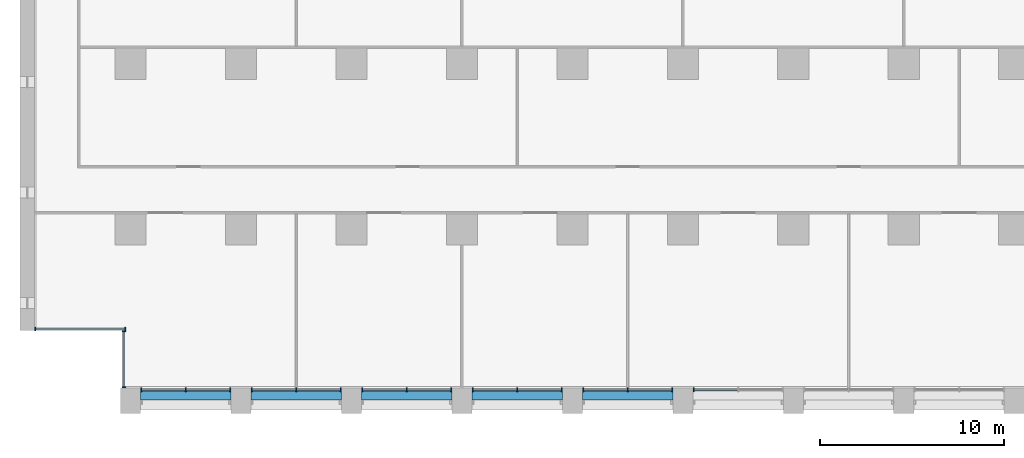
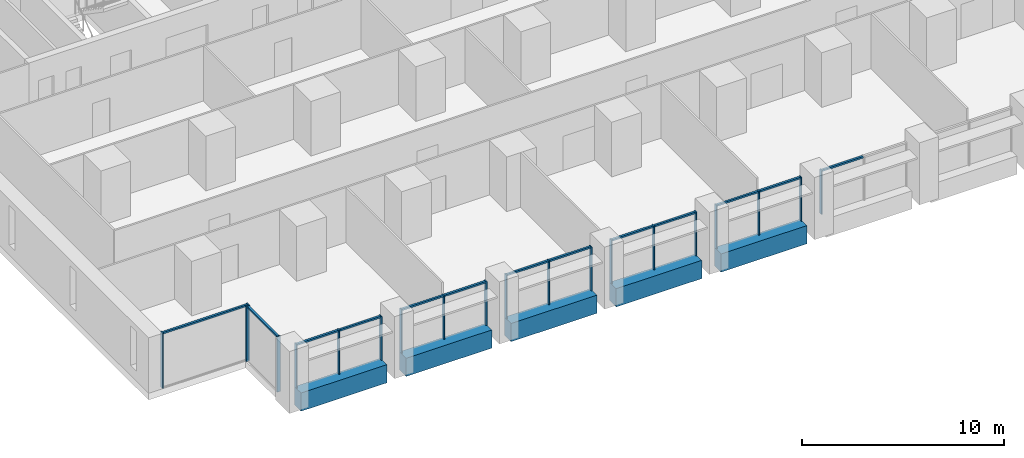
# One storey, part 2 of 18: 33 members, 5 beams, 8 elements without a shape of their own.
"""IFC4 building model written with IfcOpenShell, lengths in metres."""

from ifc_helpers import new_model, si_unit, direction, frame, origin, origin_2d, place, context, subcontext, project, spatial, rectangle, extrude, material, material_profile, profile_set, type_object, element, aggregate, save


model = new_model("IFC4")

# Units and contexts
model_context = context("Model", 3, precision=1e-05, world=origin(), true_north=direction((0.0, 1.0)))
body_context = subcontext(model_context, "Body", "Model", "MODEL_VIEW")
ifc_project = project(units=[si_unit("LENGTHUNIT", "METRE"), si_unit("AREAUNIT", "SQUARE_METRE"), si_unit("VOLUMEUNIT", "CUBIC_METRE"), si_unit("PLANEANGLEUNIT", "RADIAN"), si_unit("MASSUNIT", "GRAM", prefix="KILO")], contexts=[model_context])

# Site, building, storey
site_placement = place(None, origin())
site = spatial("IfcSite", under=ifc_project, at=site_placement, CompositionType="ELEMENT")
building_placement = place(site_placement, origin())
building = spatial("IfcBuilding", under=site, at=building_placement, Name="Calvaro Tower", CompositionType="ELEMENT")
storey_placement = place(building_placement, frame((0.0, 0.0, 45.0)))
storey = spatial("IfcBuildingStorey", under=building, at=storey_placement, Name="L10", CompositionType="ELEMENT", Elevation=45.0)

# Curtain wall, members
ifc_material_1 = material(Name="Anodised aluminium", Category="aluminium")
curtain_wall_type = type_object("IfcCurtainWallType", Name="Office curtain wall, lower zone", PredefinedType="NOTDEFINED", material=ifc_material_1)
curtain_wall_1_placement = place(storey_placement, origin())
curtain_wall_1 = element("IfcCurtainWall", 1, at=curtain_wall_1_placement, inside=storey, type_object=curtain_wall_type, Name="CW1 south curtain wall", PredefinedType="NOTDEFINED")
ifc_material_2 = material(Name="Anodised aluminium", Category="aluminium")
ifc_material_profile_1 = material_profile(ifc_material_2, rectangle(XDim=0.199951171875, YDim=0.06005859375, at=origin_2d()), Name="Mullion S1 60 x 200")
ifc_profile_set_1 = profile_set([ifc_material_profile_1], Name="Anodised aluminium")
member_type_1 = type_object("IfcMemberType", Name="Mullion S1 60 x 200", PredefinedType="MULLION", material=ifc_profile_set_1)
member_1_placement = place(storey_placement, frame((6.580078125, 1.300048828125, 0.0), z_axis=(0.0, 0.0, 1.0), x_axis=(0.0, 1.0, 0.0)))
member_1 = element("IfcMember", 2, at=member_1_placement, type_object=member_type_1, Name="CW1 mullion 1", PredefinedType="MULLION", context=body_context, shape_type="SweptSolid", body=[
    extrude(rectangle(XDim=0.199951171875, YDim=0.06005859375, at=origin_2d()), origin(), (0.0, 0.0, 1.0), 2.64990234375),
])
member_2_placement = place(storey_placement, frame((9.0, 1.300048828125, 0.0), z_axis=(0.0, 0.0, 1.0), x_axis=(0.0, 1.0, 0.0)))
member_2 = element("IfcMember", 3, at=member_2_placement, type_object=member_type_1, Name="CW1 mullion 2", PredefinedType="MULLION", context=body_context, shape_type="SweptSolid", body=[
    extrude(rectangle(XDim=0.199951171875, YDim=0.06005859375, at=origin_2d()), origin(), (0.0, 0.0, 1.0), 2.64990234375),
])
member_3_placement = place(storey_placement, frame((11.419921875, 1.300048828125, 0.0), z_axis=(0.0, 0.0, 1.0), x_axis=(0.0, 1.0, 0.0)))
member_3 = element("IfcMember", 4, at=member_3_placement, type_object=member_type_1, Name="CW1 mullion 3", PredefinedType="MULLION", context=body_context, shape_type="SweptSolid", body=[
    extrude(rectangle(XDim=0.199951171875, YDim=0.06005859375, at=origin_2d()), origin(), (0.0, 0.0, 1.0), 2.64990234375),
])

curtain_wall_2_placement = place(storey_placement, origin())
curtain_wall_2 = element("IfcCurtainWall", 5, at=curtain_wall_2_placement, inside=storey, type_object=curtain_wall_type, Name="CW1 south curtain wall", PredefinedType="NOTDEFINED")
member_4_placement = place(storey_placement, frame((12.580078125, 1.300048828125, 0.0), z_axis=(0.0, 0.0, 1.0), x_axis=(0.0, 1.0, 0.0)))
member_4 = element("IfcMember", 6, at=member_4_placement, type_object=member_type_1, Name="CW1 mullion 1", PredefinedType="MULLION", context=body_context, shape_type="SweptSolid", body=[
    extrude(rectangle(XDim=0.199951171875, YDim=0.06005859375, at=origin_2d()), origin(), (0.0, 0.0, 1.0), 2.64990234375),
])
member_5_placement = place(storey_placement, frame((15.0, 1.300048828125, 0.0), z_axis=(0.0, 0.0, 1.0), x_axis=(0.0, 1.0, 0.0)))
member_5 = element("IfcMember", 7, at=member_5_placement, type_object=member_type_1, Name="CW1 mullion 2", PredefinedType="MULLION", context=body_context, shape_type="SweptSolid", body=[
    extrude(rectangle(XDim=0.199951171875, YDim=0.06005859375, at=origin_2d()), origin(), (0.0, 0.0, 1.0), 2.64990234375),
])
member_6_placement = place(storey_placement, frame((17.419921875, 1.300048828125, 0.0), z_axis=(0.0, 0.0, 1.0), x_axis=(0.0, 1.0, 0.0)))
member_6 = element("IfcMember", 8, at=member_6_placement, type_object=member_type_1, Name="CW1 mullion 3", PredefinedType="MULLION", context=body_context, shape_type="SweptSolid", body=[
    extrude(rectangle(XDim=0.199951171875, YDim=0.06005859375, at=origin_2d()), origin(), (0.0, 0.0, 1.0), 2.64990234375),
])

curtain_wall_3_placement = place(storey_placement, origin())
curtain_wall_3 = element("IfcCurtainWall", 9, at=curtain_wall_3_placement, inside=storey, type_object=curtain_wall_type, Name="CW1 south curtain wall", PredefinedType="NOTDEFINED")
member_7_placement = place(storey_placement, frame((18.580078125, 1.300048828125, 0.0), z_axis=(0.0, 0.0, 1.0), x_axis=(0.0, 1.0, 0.0)))
member_7 = element("IfcMember", 10, at=member_7_placement, type_object=member_type_1, Name="CW1 mullion 1", PredefinedType="MULLION", context=body_context, shape_type="SweptSolid", body=[
    extrude(rectangle(XDim=0.199951171875, YDim=0.06005859375, at=origin_2d()), origin(), (0.0, 0.0, 1.0), 2.64990234375),
])
member_8_placement = place(storey_placement, frame((21.0, 1.300048828125, 0.0), z_axis=(0.0, 0.0, 1.0), x_axis=(0.0, 1.0, 0.0)))
member_8 = element("IfcMember", 11, at=member_8_placement, type_object=member_type_1, Name="CW1 mullion 2", PredefinedType="MULLION", context=body_context, shape_type="SweptSolid", body=[
    extrude(rectangle(XDim=0.199951171875, YDim=0.06005859375, at=origin_2d()), origin(), (0.0, 0.0, 1.0), 2.64990234375),
])
member_9_placement = place(storey_placement, frame((23.419921875, 1.300048828125, 0.0), z_axis=(0.0, 0.0, 1.0), x_axis=(0.0, 1.0, 0.0)))
member_9 = element("IfcMember", 12, at=member_9_placement, type_object=member_type_1, Name="CW1 mullion 3", PredefinedType="MULLION", context=body_context, shape_type="SweptSolid", body=[
    extrude(rectangle(XDim=0.199951171875, YDim=0.06005859375, at=origin_2d()), origin(), (0.0, 0.0, 1.0), 2.64990234375),
])

curtain_wall_4_placement = place(storey_placement, origin())
curtain_wall_4 = element("IfcCurtainWall", 13, at=curtain_wall_4_placement, inside=storey, type_object=curtain_wall_type, Name="CW1 south curtain wall", PredefinedType="NOTDEFINED")
member_10_placement = place(storey_placement, frame((24.580078125, 1.300048828125, 0.0), z_axis=(0.0, 0.0, 1.0), x_axis=(0.0, 1.0, 0.0)))
member_10 = element("IfcMember", 14, at=member_10_placement, type_object=member_type_1, Name="CW1 mullion 1", PredefinedType="MULLION", context=body_context, shape_type="SweptSolid", body=[
    extrude(rectangle(XDim=0.199951171875, YDim=0.06005859375, at=origin_2d()), origin(), (0.0, 0.0, 1.0), 2.64990234375),
])
member_11_placement = place(storey_placement, frame((27.0, 1.300048828125, 0.0), z_axis=(0.0, 0.0, 1.0), x_axis=(0.0, 1.0, 0.0)))
member_11 = element("IfcMember", 15, at=member_11_placement, type_object=member_type_1, Name="CW1 mullion 2", PredefinedType="MULLION", context=body_context, shape_type="SweptSolid", body=[
    extrude(rectangle(XDim=0.199951171875, YDim=0.06005859375, at=origin_2d()), origin(), (0.0, 0.0, 1.0), 2.64990234375),
])
member_12_placement = place(storey_placement, frame((29.419921875, 1.300048828125, 0.0), z_axis=(0.0, 0.0, 1.0), x_axis=(0.0, 1.0, 0.0)))
member_12 = element("IfcMember", 16, at=member_12_placement, type_object=member_type_1, Name="CW1 mullion 3", PredefinedType="MULLION", context=body_context, shape_type="SweptSolid", body=[
    extrude(rectangle(XDim=0.199951171875, YDim=0.06005859375, at=origin_2d()), origin(), (0.0, 0.0, 1.0), 2.64990234375),
])

curtain_wall_5_placement = place(storey_placement, origin())
curtain_wall_5 = element("IfcCurtainWall", 17, at=curtain_wall_5_placement, inside=storey, type_object=curtain_wall_type, Name="CW1 south curtain wall", PredefinedType="NOTDEFINED")
member_13_placement = place(storey_placement, frame((30.580078125, 1.300048828125, 0.0), z_axis=(0.0, 0.0, 1.0), x_axis=(0.0, 1.0, 0.0)))
member_13 = element("IfcMember", 18, at=member_13_placement, type_object=member_type_1, Name="CW1 mullion 1", PredefinedType="MULLION", context=body_context, shape_type="SweptSolid", body=[
    extrude(rectangle(XDim=0.199951171875, YDim=0.06005859375, at=origin_2d()), origin(), (0.0, 0.0, 1.0), 2.64990234375),
])
member_14_placement = place(storey_placement, frame((33.0, 1.300048828125, 0.0), z_axis=(0.0, 0.0, 1.0), x_axis=(0.0, 1.0, 0.0)))
member_14 = element("IfcMember", 19, at=member_14_placement, type_object=member_type_1, Name="CW1 mullion 2", PredefinedType="MULLION", context=body_context, shape_type="SweptSolid", body=[
    extrude(rectangle(XDim=0.199951171875, YDim=0.06005859375, at=origin_2d()), origin(), (0.0, 0.0, 1.0), 2.64990234375),
])
member_15_placement = place(storey_placement, frame((35.419921875, 1.300048828125, 0.0), z_axis=(0.0, 0.0, 1.0), x_axis=(0.0, 1.0, 0.0)))
member_15 = element("IfcMember", 20, at=member_15_placement, type_object=member_type_1, Name="CW1 mullion 3", PredefinedType="MULLION", context=body_context, shape_type="SweptSolid", body=[
    extrude(rectangle(XDim=0.199951171875, YDim=0.06005859375, at=origin_2d()), origin(), (0.0, 0.0, 1.0), 2.64990234375),
])

# Curtain wall, member
curtain_wall_6_placement = place(storey_placement, origin())
curtain_wall_6 = element("IfcCurtainWall", 21, at=curtain_wall_6_placement, inside=storey, type_object=curtain_wall_type, Name="CW1 south curtain wall", PredefinedType="NOTDEFINED")
member_16_placement = place(storey_placement, frame((36.580078125, 1.300048828125, 0.0), z_axis=(0.0, 0.0, 1.0), x_axis=(0.0, 1.0, 0.0)))
member_16 = element("IfcMember", 22, at=member_16_placement, type_object=member_type_1, Name="CW1 mullion 1", PredefinedType="MULLION", context=body_context, shape_type="SweptSolid", body=[
    extrude(rectangle(XDim=0.199951171875, YDim=0.06005859375, at=origin_2d()), origin(), (0.0, 0.0, 1.0), 2.64990234375),
])

# Curtain wall, members
curtain_wall_7_placement = place(storey_placement, origin())
curtain_wall_7 = element("IfcCurtainWall", 23, at=curtain_wall_7_placement, inside=storey, type_object=curtain_wall_type, Name="CW1 corner curtain wall", PredefinedType="NOTDEFINED")
member_17_placement = place(storey_placement, frame((5.64990234375, 1.429931640625, 0.0), z_axis=(0.0, 0.0, 1.0), x_axis=(-1.0, 0.0, 0.0)))
member_17 = element("IfcMember", 24, at=member_17_placement, type_object=member_type_1, Name="CW1 mullion 1", PredefinedType="MULLION", context=body_context, shape_type="SweptSolid", body=[
    extrude(rectangle(XDim=0.199951171875, YDim=0.06005859375, at=origin_2d()), origin(), (0.0, 0.0, 1.0), 3.35009765625),
])
member_18_placement = place(storey_placement, frame((5.64990234375, 4.469970703125, 0.0), z_axis=(0.0, 0.0, 1.0), x_axis=(-1.0, 0.0, 0.0)))
member_18 = element("IfcMember", 25, at=member_18_placement, type_object=member_type_1, Name="CW1 mullion 2", PredefinedType="MULLION", context=body_context, shape_type="SweptSolid", body=[
    extrude(rectangle(XDim=0.199951171875, YDim=0.06005859375, at=origin_2d()), origin(), (0.0, 0.0, 1.0), 3.35009765625),
])

curtain_wall_8_placement = place(storey_placement, origin())
curtain_wall_8 = element("IfcCurtainWall", 26, at=curtain_wall_8_placement, inside=storey, type_object=curtain_wall_type, Name="CW1 corner curtain wall", PredefinedType="NOTDEFINED")
member_19_placement = place(storey_placement, frame((0.830078125, 4.60009765625, 0.0), z_axis=(0.0, 0.0, 1.0), x_axis=(0.0, 1.0, 0.0)))
member_19 = element("IfcMember", 27, at=member_19_placement, type_object=member_type_1, Name="CW1 mullion 1", PredefinedType="MULLION", context=body_context, shape_type="SweptSolid", body=[
    extrude(rectangle(XDim=0.199951171875, YDim=0.06005859375, at=origin_2d()), origin(), (0.0, 0.0, 1.0), 3.35009765625),
])
member_20_placement = place(storey_placement, frame((5.719970703125, 4.60009765625, 0.0), z_axis=(0.0, 0.0, 1.0), x_axis=(0.0, 1.0, 0.0)))
member_20 = element("IfcMember", 28, at=member_20_placement, type_object=member_type_1, Name="CW1 mullion 2", PredefinedType="MULLION", context=body_context, shape_type="SweptSolid", body=[
    extrude(rectangle(XDim=0.199951171875, YDim=0.06005859375, at=origin_2d()), origin(), (0.0, 0.0, 1.0), 3.35009765625),
])

# Beams
ifc_material_3 = material(Name="Concrete C50/60 precast", Category="concrete")
ifc_material_profile_2 = material_profile(ifc_material_3, rectangle(XDim=0.64990234375, YDim=1.10009765625, at=origin_2d()), Name="RC 650x1100")
ifc_profile_set_2 = profile_set([ifc_material_profile_2], Name="Concrete C50/60 precast")
beam_type = type_object("IfcBeamType", Name="Spandrel beam 650x1100 C50/60", PredefinedType="SPANDREL", material=ifc_profile_set_2)
for number, where, z_axis, x_axis, name in (
    (29, (6.550048828125, 1.074951171875, -0.550048828125), (1.0, 0.0, 0.0), (0.0, 1.0, 0.0), "Spandrel beam"),
    (30, (12.550048828125, 1.074951171875, -0.550048828125), (1.0, 0.0, 0.0), (0.0, 1.0, 0.0), "Spandrel beam"),
    (31, (18.550048828125, 1.074951171875, -0.550048828125), (1.0, 0.0, 0.0), (0.0, 1.0, 0.0), "Spandrel beam"),
    (32, (24.550048828125, 1.074951171875, -0.550048828125), (1.0, 0.0, 0.0), (0.0, 1.0, 0.0), "Spandrel beam"),
    (33, (30.550048828125, 1.074951171875, -0.550048828125), (1.0, 0.0, 0.0), (0.0, 1.0, 0.0), "Spandrel beam"),
):
    element("IfcBeam", number, at=place(storey_placement, frame(where, z_axis=z_axis, x_axis=x_axis)), inside=storey, type_object=beam_type, Name=name, PredefinedType="SPANDREL", context=body_context, shape_type="SweptSolid", body=[
        extrude(rectangle(XDim=0.64990234375, YDim=1.10009765625, at=origin_2d()), origin(), (0.0, 0.0, 1.0), 4.89990234375),
    ])

# Member
ifc_material_4 = material(Name="Anodised aluminium", Category="aluminium")
ifc_material_profile_3 = material_profile(ifc_material_4, rectangle(XDim=0.1201171875, YDim=0.10009765625, at=origin_2d()), Name="Transom S1 100 x 120")
ifc_profile_set_3 = profile_set([ifc_material_profile_3], Name="Anodised aluminium")
member_type_2 = type_object("IfcMemberType", Name="Transom S1 100 x 120", PredefinedType="USERDEFINED", material=ifc_profile_set_3)
member_21_placement = place(storey_placement, frame((6.610107421875, 1.300048828125, 2.60009765625), z_axis=(1.0, 0.0, 0.0), x_axis=(0.0, 1.0, 0.0)))
member_21 = element("IfcMember", 34, at=member_21_placement, type_object=member_type_2, Name="CW1 transom 1.1", ObjectType="TRANSOM", PredefinedType="USERDEFINED", context=body_context, shape_type="SweptSolid", body=[
    extrude(rectangle(XDim=0.1201171875, YDim=0.10009765625, at=origin_2d()), origin(), (0.0, 0.0, 1.0), 2.35986328125),
])

member_22_placement = place(storey_placement, frame((9.030029296875, 1.300048828125, 2.60009765625), z_axis=(1.0, 0.0, 0.0), x_axis=(0.0, 1.0, 0.0)))
member_22 = element("IfcMember", 35, at=member_22_placement, type_object=member_type_2, Name="CW1 transom 2.1", ObjectType="TRANSOM", PredefinedType="USERDEFINED", context=body_context, shape_type="SweptSolid", body=[
    extrude(rectangle(XDim=0.1201171875, YDim=0.10009765625, at=origin_2d()), origin(), (0.0, 0.0, 1.0), 2.35986328125),
])

aggregate(curtain_wall_1, [member_1, member_2, member_3, member_21, member_22])

member_23_placement = place(storey_placement, frame((12.610107421875, 1.300048828125, 2.60009765625), z_axis=(1.0, 0.0, 0.0), x_axis=(0.0, 1.0, 0.0)))
member_23 = element("IfcMember", 36, at=member_23_placement, type_object=member_type_2, Name="CW1 transom 1.1", ObjectType="TRANSOM", PredefinedType="USERDEFINED", context=body_context, shape_type="SweptSolid", body=[
    extrude(rectangle(XDim=0.1201171875, YDim=0.10009765625, at=origin_2d()), origin(), (0.0, 0.0, 1.0), 2.35986328125),
])

member_24_placement = place(storey_placement, frame((15.030029296875, 1.300048828125, 2.60009765625), z_axis=(1.0, 0.0, 0.0), x_axis=(0.0, 1.0, 0.0)))
member_24 = element("IfcMember", 37, at=member_24_placement, type_object=member_type_2, Name="CW1 transom 2.1", ObjectType="TRANSOM", PredefinedType="USERDEFINED", context=body_context, shape_type="SweptSolid", body=[
    extrude(rectangle(XDim=0.1201171875, YDim=0.10009765625, at=origin_2d()), origin(), (0.0, 0.0, 1.0), 2.35986328125),
])

aggregate(curtain_wall_2, [member_4, member_5, member_6, member_23, member_24])

member_25_placement = place(storey_placement, frame((18.610107421875, 1.300048828125, 2.60009765625), z_axis=(1.0, 0.0, 0.0), x_axis=(0.0, 1.0, 0.0)))
member_25 = element("IfcMember", 38, at=member_25_placement, type_object=member_type_2, Name="CW1 transom 1.1", ObjectType="TRANSOM", PredefinedType="USERDEFINED", context=body_context, shape_type="SweptSolid", body=[
    extrude(rectangle(XDim=0.1201171875, YDim=0.10009765625, at=origin_2d()), origin(), (0.0, 0.0, 1.0), 2.35986328125),
])

member_26_placement = place(storey_placement, frame((21.030029296875, 1.300048828125, 2.60009765625), z_axis=(1.0, 0.0, 0.0), x_axis=(0.0, 1.0, 0.0)))
member_26 = element("IfcMember", 39, at=member_26_placement, type_object=member_type_2, Name="CW1 transom 2.1", ObjectType="TRANSOM", PredefinedType="USERDEFINED", context=body_context, shape_type="SweptSolid", body=[
    extrude(rectangle(XDim=0.1201171875, YDim=0.10009765625, at=origin_2d()), origin(), (0.0, 0.0, 1.0), 2.35986328125),
])

aggregate(curtain_wall_3, [member_7, member_8, member_9, member_25, member_26])

member_27_placement = place(storey_placement, frame((24.610107421875, 1.300048828125, 2.60009765625), z_axis=(1.0, 0.0, 0.0), x_axis=(0.0, 1.0, 0.0)))
member_27 = element("IfcMember", 40, at=member_27_placement, type_object=member_type_2, Name="CW1 transom 1.1", ObjectType="TRANSOM", PredefinedType="USERDEFINED", context=body_context, shape_type="SweptSolid", body=[
    extrude(rectangle(XDim=0.1201171875, YDim=0.10009765625, at=origin_2d()), origin(), (0.0, 0.0, 1.0), 2.35986328125),
])

member_28_placement = place(storey_placement, frame((27.030029296875, 1.300048828125, 2.60009765625), z_axis=(1.0, 0.0, 0.0), x_axis=(0.0, 1.0, 0.0)))
member_28 = element("IfcMember", 41, at=member_28_placement, type_object=member_type_2, Name="CW1 transom 2.1", ObjectType="TRANSOM", PredefinedType="USERDEFINED", context=body_context, shape_type="SweptSolid", body=[
    extrude(rectangle(XDim=0.1201171875, YDim=0.10009765625, at=origin_2d()), origin(), (0.0, 0.0, 1.0), 2.35986328125),
])

aggregate(curtain_wall_4, [member_10, member_11, member_12, member_27, member_28])

member_29_placement = place(storey_placement, frame((30.610107421875, 1.300048828125, 2.60009765625), z_axis=(1.0, 0.0, 0.0), x_axis=(0.0, 1.0, 0.0)))
member_29 = element("IfcMember", 42, at=member_29_placement, type_object=member_type_2, Name="CW1 transom 1.1", ObjectType="TRANSOM", PredefinedType="USERDEFINED", context=body_context, shape_type="SweptSolid", body=[
    extrude(rectangle(XDim=0.1201171875, YDim=0.10009765625, at=origin_2d()), origin(), (0.0, 0.0, 1.0), 2.35986328125),
])

member_30_placement = place(storey_placement, frame((33.030029296875, 1.300048828125, 2.60009765625), z_axis=(1.0, 0.0, 0.0), x_axis=(0.0, 1.0, 0.0)))
member_30 = element("IfcMember", 43, at=member_30_placement, type_object=member_type_2, Name="CW1 transom 2.1", ObjectType="TRANSOM", PredefinedType="USERDEFINED", context=body_context, shape_type="SweptSolid", body=[
    extrude(rectangle(XDim=0.1201171875, YDim=0.10009765625, at=origin_2d()), origin(), (0.0, 0.0, 1.0), 2.35986328125),
])

aggregate(curtain_wall_5, [member_13, member_14, member_15, member_29, member_30])

member_31_placement = place(storey_placement, frame((36.610107421875, 1.300048828125, 2.60009765625), z_axis=(1.0, 0.0, 0.0), x_axis=(0.0, 1.0, 0.0)))
member_31 = element("IfcMember", 44, at=member_31_placement, type_object=member_type_2, Name="CW1 transom 1.1", ObjectType="TRANSOM", PredefinedType="USERDEFINED", context=body_context, shape_type="SweptSolid", body=[
    extrude(rectangle(XDim=0.1201171875, YDim=0.10009765625, at=origin_2d()), origin(), (0.0, 0.0, 1.0), 2.35986328125),
])

aggregate(curtain_wall_6, [member_16, member_31])

member_32_placement = place(storey_placement, frame((5.64990234375, 1.4599609375, 3.300048828125), z_axis=(0.0, 1.0, 0.0), x_axis=(-1.0, 0.0, 0.0)))
member_32 = element("IfcMember", 45, at=member_32_placement, type_object=member_type_2, Name="CW1 transom 1.1", ObjectType="TRANSOM", PredefinedType="USERDEFINED", context=body_context, shape_type="SweptSolid", body=[
    extrude(rectangle(XDim=0.1201171875, YDim=0.10009765625, at=origin_2d()), origin(), (0.0, 0.0, 1.0), 2.97998046875),
])

aggregate(curtain_wall_7, [member_17, member_18, member_32])

member_33_placement = place(storey_placement, frame((0.860107421875, 4.60009765625, 3.300048828125), z_axis=(1.0, 0.0, 0.0), x_axis=(0.0, 1.0, 0.0)))
member_33 = element("IfcMember", 46, at=member_33_placement, type_object=member_type_2, Name="CW1 transom 1.1", ObjectType="TRANSOM", PredefinedType="USERDEFINED", context=body_context, shape_type="SweptSolid", body=[
    extrude(rectangle(XDim=0.1201171875, YDim=0.10009765625, at=origin_2d()), origin(), (0.0, 0.0, 1.0), 4.829833984375),
])

aggregate(curtain_wall_8, [member_19, member_20, member_33])

save(model, "model.ifc")
